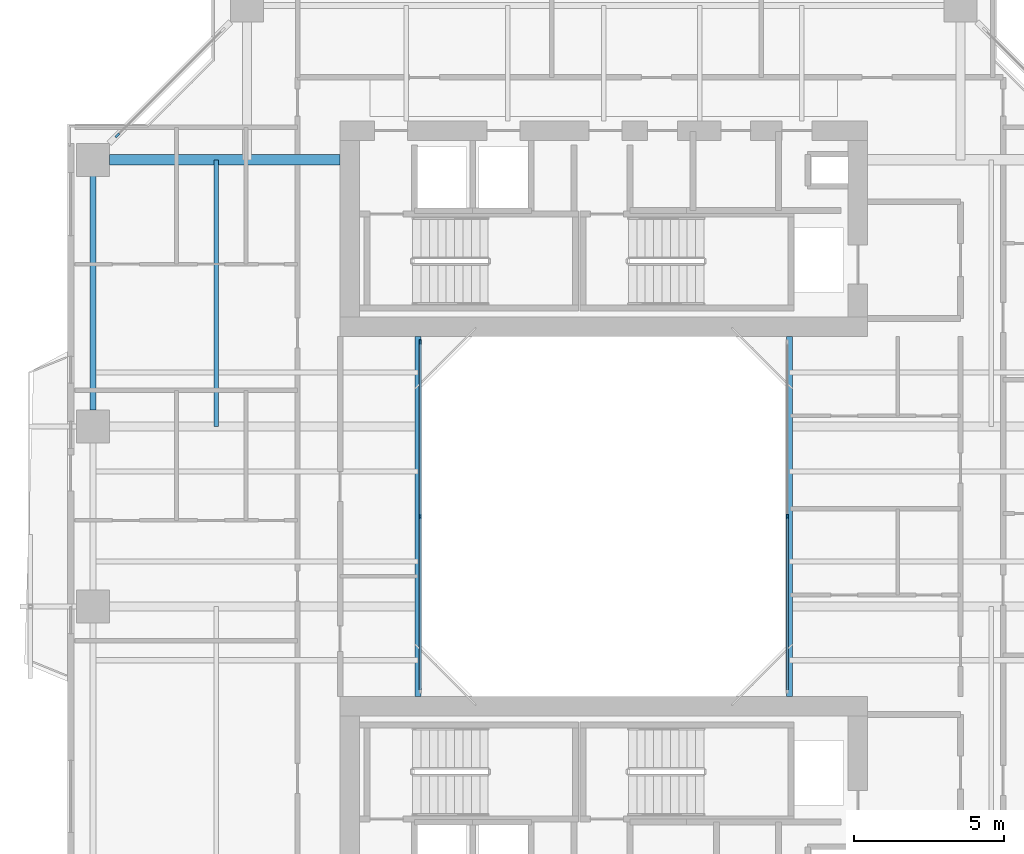
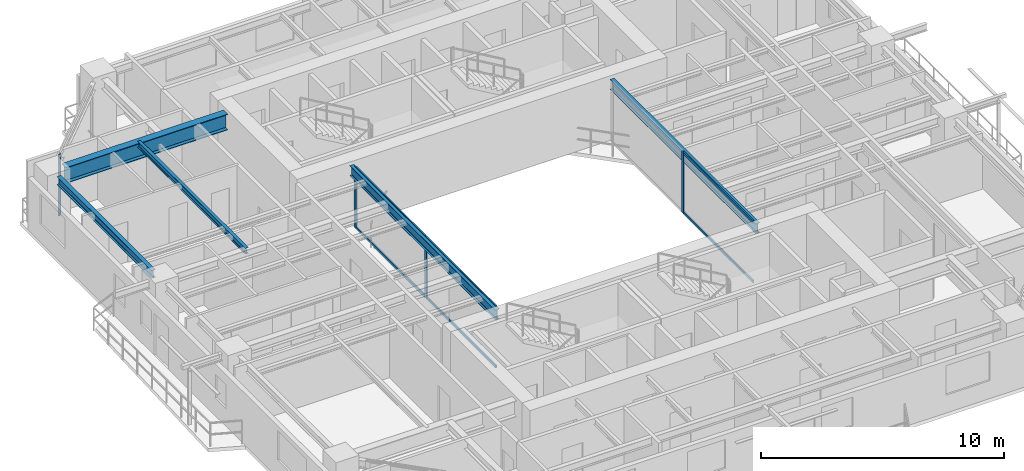
# One storey, part 5 of 24: 10 members, 5 beams, 3 elements without a shape of their own.
"""IFC4 building model written with IfcOpenShell, lengths in metres."""

from ifc_helpers import new_model, si_unit, direction, frame, origin, origin_2d, place, context, subcontext, project, spatial, rectangle, i_section, extrude, source, transform, mapped, material, layer, layer_set, material_profile, profile_set, type_object, element, aggregate, save


model = new_model("IFC4")

# Units and contexts
model_context = context("Model", 3, precision=1e-05, world=origin(), true_north=direction((0.0, 1.0)))
body_context = subcontext(model_context, "Body", "Model", "MODEL_VIEW")
ifc_project = project(units=[si_unit("LENGTHUNIT", "METRE"), si_unit("AREAUNIT", "SQUARE_METRE"), si_unit("VOLUMEUNIT", "CUBIC_METRE"), si_unit("PLANEANGLEUNIT", "RADIAN"), si_unit("MASSUNIT", "GRAM", prefix="KILO"), si_unit("THERMODYNAMICTEMPERATUREUNIT", "KELVIN"), si_unit("POWERUNIT", "WATT")], contexts=[model_context])

# Site, building, storey
site_placement = place(None, origin())
site = spatial("IfcSite", under=ifc_project, at=site_placement, CompositionType="ELEMENT")
building_placement = place(site_placement, origin())
building = spatial("IfcBuilding", under=site, at=building_placement, Name="Qiaomeng Ring Towers", CompositionType="ELEMENT")
storey_placement = place(building_placement, frame((0.0, 0.0, 110.0)))
storey = spatial("IfcBuildingStorey", under=building, at=storey_placement, Name="L31", CompositionType="ELEMENT", Elevation=110.0)

# Beams
ifc_material_1 = material(Name="Steel Q355B", Category="steel")
ifc_material_profile_1 = material_profile(ifc_material_1, i_section(OverallWidth=0.199951171875, OverallDepth=0.5, WebThickness=0.010009765625, FlangeThickness=0.01611328125, FilletRadius=0.02001953125, at=origin_2d()), Name="HN 500x200x10x16")
ifc_profile_set_1 = profile_set([ifc_material_profile_1], Name="Steel Q355B")
beam_type_1 = type_object("IfcBeamType", Name="STR-BM-HN500", PredefinedType="BEAM", material=ifc_profile_set_1)
shared_shape_1 = source(origin(), body_context, "Body", "SweptSolid", [
    extrude(i_section(OverallWidth=0.199951171875, OverallDepth=0.5, WebThickness=0.010009765625, FlangeThickness=0.01611328125, FilletRadius=0.02001953125, at=origin_2d()), origin(), (0.0, 0.0, 1.0), 12.0),
])
for number, where, z_axis, x_axis, name in (
    (1, (12.800048828125, 17.0, 2.820068359375), (0.0, 1.0, 0.0), (-1.0, 0.0, 0.0), "L31 beam STR-BM-L31-WELL-W"),
    (2, (25.199951171875, 17.0, 2.820068359375), (0.0, 1.0, 0.0), (-1.0, 0.0, 0.0), "L31 beam STR-BM-L31-WELL-E"),
):
    element("IfcBeam", number, at=place(storey_placement, frame(where, z_axis=z_axis, x_axis=x_axis)), inside=storey, type_object=beam_type_1, Name=name, PredefinedType="BEAM", context=body_context, shape_type="MappedRepresentation", body=[
        mapped(shared_shape_1, transform((0.0, 0.0, 0.0), x_axis=(1.0, 0.0, 0.0), y_axis=(0.0, 1.0, 0.0), z_axis=(0.0, 0.0, 1.0), scale=1.0)),
    ])
ifc_material_profile_2 = material_profile(ifc_material_1, i_section(OverallWidth=0.199951171875, OverallDepth=0.39990234375, WebThickness=0.008056640625, FlangeThickness=0.012939453125, FilletRadius=0.01611328125, at=origin_2d()), Name="HN 400x200x8x13")
ifc_profile_set_2 = profile_set([ifc_material_profile_2], Name="Steel Q355B")
beam_type_2 = type_object("IfcBeamType", Name="STR-BM-HN400", PredefinedType="SPANDREL", material=ifc_profile_set_2)
shared_shape_2 = source(origin(), body_context, "Body", "SweptSolid", [
    extrude(i_section(OverallWidth=0.199951171875, OverallDepth=0.39990234375, WebThickness=0.008056640625, FlangeThickness=0.012939453125, FilletRadius=0.01611328125, at=origin_2d()), origin(), (0.0, 0.0, 1.0), 7.802001953125),
])
beam_1_placement = place(storey_placement, frame((1.949951171875, 34.35107421875, 2.8701171875), z_axis=(0.0, -1.0, 0.0), x_axis=(1.0, 0.0, 0.0)))
element("IfcBeam", 3, at=beam_1_placement, inside=storey, type_object=beam_type_2, Name="L31 beam STR-SP-L31-T1-W4-W3", PredefinedType="SPANDREL", context=body_context, shape_type="MappedRepresentation", body=[
    mapped(shared_shape_2, transform((0.0, 0.0, 0.0), x_axis=(1.0, 0.0, 0.0), y_axis=(0.0, 1.0, 0.0), z_axis=(0.0, 0.0, 1.0), scale=1.0)),
])
ifc_material_2 = material(Name="Steel Q390GJC", Category="steel")
ifc_material_profile_3 = material_profile(ifc_material_2, i_section(OverallWidth=0.35009765625, OverallDepth=0.800048828125, WebThickness=0.01611328125, FlangeThickness=0.028076171875, at=origin_2d()), Name="WH 800x350x16x28")
ifc_profile_set_3 = profile_set([ifc_material_profile_3], Name="Steel Q390GJC")
beam_type_3 = type_object("IfcBeamType", Name="STR-BM-WH800", PredefinedType="BEAM", material=ifc_profile_set_3)
shared_shape_3 = source(origin(), body_context, "Body", "SweptSolid", [
    extrude(i_section(OverallWidth=0.35009765625, OverallDepth=0.800048828125, WebThickness=0.01611328125, FlangeThickness=0.028076171875, at=origin_2d()), origin(), (0.0, 0.0, 1.0), 7.700927734375),
])
beam_2_placement = place(storey_placement, frame((2.4990234375, 34.89990234375, 2.669921875), z_axis=(1.0, 0.0, 0.0), x_axis=(0.0, 1.0, 0.0)))
element("IfcBeam", 4, at=beam_2_placement, inside=storey, type_object=beam_type_3, Name="L31 beam STR-BM-L31-T1-RAD-W4", PredefinedType="BEAM", context=body_context, shape_type="MappedRepresentation", body=[
    mapped(shared_shape_3, transform((0.0, 0.0, 0.0), x_axis=(1.0, 0.0, 0.0), y_axis=(0.0, 1.0, 0.0), z_axis=(0.0, 0.0, 1.0), scale=1.0)),
])
ifc_material_profile_4 = material_profile(ifc_material_1, i_section(OverallWidth=0.14990234375, OverallDepth=0.300048828125, WebThickness=0.006591796875, FlangeThickness=0.009033203125, FilletRadius=0.012939453125, at=origin_2d()), Name="HN 300x150x6.5x9")
ifc_profile_set_4 = profile_set([ifc_material_profile_4], Name="Steel Q355B")
beam_type_4 = type_object("IfcBeamType", Name="STR-BM-HN300", PredefinedType="JOIST", material=ifc_profile_set_4)
shared_shape_4 = source(origin(), body_context, "Body", "SweptSolid", [
    extrude(i_section(OverallWidth=0.14990234375, OverallDepth=0.300048828125, WebThickness=0.006591796875, FlangeThickness=0.009033203125, FilletRadius=0.012939453125, at=origin_2d()), origin(), (0.0, 0.0, 1.0), 8.89990234375),
])
beam_3_placement = place(storey_placement, frame((6.074951171875, 26.0, 2.919921875), z_axis=(0.0, 1.0, 0.0), x_axis=(-1.0, 0.0, 0.0)))
element("IfcBeam", 5, at=beam_3_placement, inside=storey, type_object=beam_type_4, Name="L31 beam STR-JST-L31-T1C-WN", PredefinedType="JOIST", context=body_context, shape_type="MappedRepresentation", body=[
    mapped(shared_shape_4, transform((0.0, 0.0, 0.0), x_axis=(1.0, 0.0, 0.0), y_axis=(0.0, 1.0, 0.0), z_axis=(0.0, 0.0, 1.0), scale=1.0)),
])

# Curtain wall, members
ifc_material_3 = material(Name="Fluorocarbon dark-grey aluminium", Category="aluminium")
ifc_layer_1 = layer(ifc_material_3, 0.139892578125, Name="Fluorocarbon dark-grey aluminium")
ifc_layer_set_1 = layer_set([ifc_layer_1], Name="Fluorocarbon dark-grey aluminium")
curtain_wall_type_1 = type_object("IfcCurtainWallType", Name="ARC-CW-4", PredefinedType="NOTDEFINED", material=ifc_layer_set_1)
curtain_wall_1_placement = place(storey_placement, origin())
curtain_wall_1 = element("IfcCurtainWall", 6, at=curtain_wall_1_placement, inside=storey, type_object=curtain_wall_type_1, Name="L31 Curtain Wall CW4", PredefinedType="NOTDEFINED")
ifc_material_profile_5 = material_profile(ifc_material_3, rectangle(XDim=0.06494140625, YDim=0.159912109375, at=origin_2d()), Name="ALU MULL 65x160")
ifc_profile_set_5 = profile_set([ifc_material_profile_5], Name="Fluorocarbon dark-grey aluminium")
member_type_1 = type_object("IfcMemberType", Name="ARC-CWM-140", PredefinedType="MULLION", material=ifc_profile_set_5)
shared_shape_5 = source(origin(), body_context, "Body", "SweptSolid", [
    extrude(rectangle(XDim=0.06494140625, YDim=0.159912109375, at=origin_2d()), origin(), (0.0, 0.0, 1.0), 3.070068359375),
])
member_1_placement = place(storey_placement, frame((12.8798828125, 23.0, 0.0), z_axis=(0.0, 0.0, 1.0), x_axis=(-1.0, 0.0, 0.0)))
member_1 = element("IfcMember", 7, at=member_1_placement, type_object=member_type_1, Name="CW4 mullion 2", PredefinedType="MULLION", context=body_context, shape_type="MappedRepresentation", body=[
    mapped(shared_shape_5, transform((0.0, 0.0, 0.0), x_axis=(1.0, 0.0, 0.0), y_axis=(0.0, 1.0, 0.0), z_axis=(0.0, 0.0, 1.0), scale=1.0)),
])
member_2_placement = place(storey_placement, frame((12.8798828125, 28.8173828125, 0.0), z_axis=(0.0, 0.0, 1.0), x_axis=(-1.0, 0.0, 0.0)))
member_2 = element("IfcMember", 8, at=member_2_placement, type_object=member_type_1, Name="CW4 mullion 3", PredefinedType="MULLION", context=body_context, shape_type="MappedRepresentation", body=[
    mapped(shared_shape_5, transform((0.0, 0.0, 0.0), x_axis=(1.0, 0.0, 0.0), y_axis=(0.0, 1.0, 0.0), z_axis=(0.0, 0.0, 1.0), scale=1.0)),
])

# Curtain wall, member
curtain_wall_2_placement = place(storey_placement, origin())
curtain_wall_2 = element("IfcCurtainWall", 9, at=curtain_wall_2_placement, inside=storey, type_object=curtain_wall_type_1, Name="L31 Curtain Wall CW4", PredefinedType="NOTDEFINED")
member_3_placement = place(storey_placement, frame((25.1201171875, 23.0, 0.0), z_axis=(0.0, 0.0, 1.0), x_axis=(-1.0, 0.0, 0.0)))
member_3 = element("IfcMember", 10, at=member_3_placement, type_object=member_type_1, Name="CW4 mullion 2", PredefinedType="MULLION", context=body_context, shape_type="MappedRepresentation", body=[
    mapped(shared_shape_5, transform((0.0, 0.0, 0.0), x_axis=(1.0, 0.0, 0.0), y_axis=(0.0, 1.0, 0.0), z_axis=(0.0, 0.0, 1.0), scale=1.0)),
])

# Member
ifc_material_profile_6 = material_profile(ifc_material_3, rectangle(XDim=0.06494140625, YDim=0.1298828125, at=origin_2d()), Name="ALU TRAN 65x130")
ifc_profile_set_6 = profile_set([ifc_material_profile_6], Name="Fluorocarbon dark-grey aluminium")
member_type_2 = type_object("IfcMemberType", Name="ARC-CWT-120", PredefinedType="USERDEFINED", material=ifc_profile_set_6)
shared_shape_6 = source(origin(), body_context, "Body", "SweptSolid", [
    extrude(rectangle(XDim=0.06494140625, YDim=0.1298828125, at=origin_2d()), origin(), (0.0, 0.0, 1.0), 5.75244140625),
])
member_4_placement = place(storey_placement, frame((12.8798828125, 17.215087890625, 0.032470703125), z_axis=(0.0, 1.0, 0.0), x_axis=(-1.0, 0.0, 0.0)))
member_4 = element("IfcMember", 11, at=member_4_placement, type_object=member_type_2, Name="CW4 transom 1.1", ObjectType="TRANSOM", PredefinedType="USERDEFINED", context=body_context, shape_type="MappedRepresentation", body=[
    mapped(shared_shape_6, transform((0.0, 0.0, 0.0), x_axis=(1.0, 0.0, 0.0), y_axis=(0.0, 1.0, 0.0), z_axis=(0.0, 0.0, 1.0), scale=1.0)),
])

member_5_placement = place(storey_placement, frame((12.8798828125, 17.215087890625, 3.03759765625), z_axis=(0.0, 1.0, 0.0), x_axis=(-1.0, 0.0, 0.0)))
member_5 = element("IfcMember", 12, at=member_5_placement, type_object=member_type_2, Name="CW4 transom 1.2", ObjectType="TRANSOM", PredefinedType="USERDEFINED", context=body_context, shape_type="MappedRepresentation", body=[
    mapped(shared_shape_6, transform((0.0, 0.0, 0.0), x_axis=(1.0, 0.0, 0.0), y_axis=(0.0, 1.0, 0.0), z_axis=(0.0, 0.0, 1.0), scale=1.0)),
])

member_6_placement = place(storey_placement, frame((12.8798828125, 23.032470703125, 0.032470703125), z_axis=(0.0, 1.0, 0.0), x_axis=(-1.0, 0.0, 0.0)))
member_6 = element("IfcMember", 13, at=member_6_placement, type_object=member_type_2, Name="CW4 transom 2.1", ObjectType="TRANSOM", PredefinedType="USERDEFINED", context=body_context, shape_type="MappedRepresentation", body=[
    mapped(shared_shape_6, transform((0.0, 0.0, 0.0), x_axis=(1.0, 0.0, 0.0), y_axis=(0.0, 1.0, 0.0), z_axis=(0.0, 0.0, 1.0), scale=1.0)),
])

member_7_placement = place(storey_placement, frame((12.8798828125, 23.032470703125, 3.03759765625), z_axis=(0.0, 1.0, 0.0), x_axis=(-1.0, 0.0, 0.0)))
member_7 = element("IfcMember", 14, at=member_7_placement, type_object=member_type_2, Name="CW4 transom 2.2", ObjectType="TRANSOM", PredefinedType="USERDEFINED", context=body_context, shape_type="MappedRepresentation", body=[
    mapped(shared_shape_6, transform((0.0, 0.0, 0.0), x_axis=(1.0, 0.0, 0.0), y_axis=(0.0, 1.0, 0.0), z_axis=(0.0, 0.0, 1.0), scale=1.0)),
])

aggregate(curtain_wall_1, [member_1, member_2, member_4, member_5, member_6, member_7])

member_8_placement = place(storey_placement, frame((25.1201171875, 17.215087890625, 0.032470703125), z_axis=(0.0, 1.0, 0.0), x_axis=(-1.0, 0.0, 0.0)))
member_8 = element("IfcMember", 15, at=member_8_placement, type_object=member_type_2, Name="CW4 transom 1.1", ObjectType="TRANSOM", PredefinedType="USERDEFINED", context=body_context, shape_type="MappedRepresentation", body=[
    mapped(shared_shape_6, transform((0.0, 0.0, 0.0), x_axis=(1.0, 0.0, 0.0), y_axis=(0.0, 1.0, 0.0), z_axis=(0.0, 0.0, 1.0), scale=1.0)),
])

member_9_placement = place(storey_placement, frame((25.1201171875, 17.215087890625, 3.03759765625), z_axis=(0.0, 1.0, 0.0), x_axis=(-1.0, 0.0, 0.0)))
member_9 = element("IfcMember", 16, at=member_9_placement, type_object=member_type_2, Name="CW4 transom 1.2", ObjectType="TRANSOM", PredefinedType="USERDEFINED", context=body_context, shape_type="MappedRepresentation", body=[
    mapped(shared_shape_6, transform((0.0, 0.0, 0.0), x_axis=(1.0, 0.0, 0.0), y_axis=(0.0, 1.0, 0.0), z_axis=(0.0, 0.0, 1.0), scale=1.0)),
])

aggregate(curtain_wall_2, [member_3, member_8, member_9])

# Curtain wall, member
ifc_layer_2 = layer(ifc_material_3, 0.14990234375, Name="Fluorocarbon dark-grey aluminium")
ifc_layer_set_2 = layer_set([ifc_layer_2], Name="Fluorocarbon dark-grey aluminium")
curtain_wall_type_2 = type_object("IfcCurtainWallType", Name="ARC-CW-3", PredefinedType="NOTDEFINED", material=ifc_layer_set_2)
curtain_wall_3_placement = place(storey_placement, origin())
curtain_wall_3 = element("IfcCurtainWall", 17, at=curtain_wall_3_placement, inside=storey, type_object=curtain_wall_type_2, Name="L31 Curtain Wall CW3", PredefinedType="NOTDEFINED")
ifc_material_profile_7 = material_profile(ifc_material_3, rectangle(XDim=0.070068359375, YDim=0.179931640625, at=origin_2d()), Name="ALU MULL 70x180")
ifc_profile_set_7 = profile_set([ifc_material_profile_7], Name="Fluorocarbon dark-grey aluminium")
member_type_3 = type_object("IfcMemberType", Name="ARC-CWM-160", PredefinedType="MULLION", material=ifc_profile_set_7)
shared_shape_7 = source(origin(), body_context, "Body", "SweptSolid", [
    extrude(rectangle(XDim=0.070068359375, YDim=0.179931640625, at=origin_2d()), origin(), (0.0, 0.0, 1.0), 3.070068359375),
])
member_10_placement = place(storey_placement, frame((2.7646484375, 35.71484375, 0.0), z_axis=(0.0, 0.0, 1.0), x_axis=(0.707106781187, -0.707106781187, 0.0)))
member_10 = element("IfcMember", 18, at=member_10_placement, type_object=member_type_3, Name="CW3 mullion 2", PredefinedType="MULLION", context=body_context, shape_type="MappedRepresentation", body=[
    mapped(shared_shape_7, transform((0.0, 0.0, 0.0), x_axis=(1.0, 0.0, 0.0), y_axis=(0.0, 1.0, 0.0), z_axis=(0.0, 0.0, 1.0), scale=1.0)),
])
aggregate(curtain_wall_3, [member_10])

save(model, "model.ifc")
